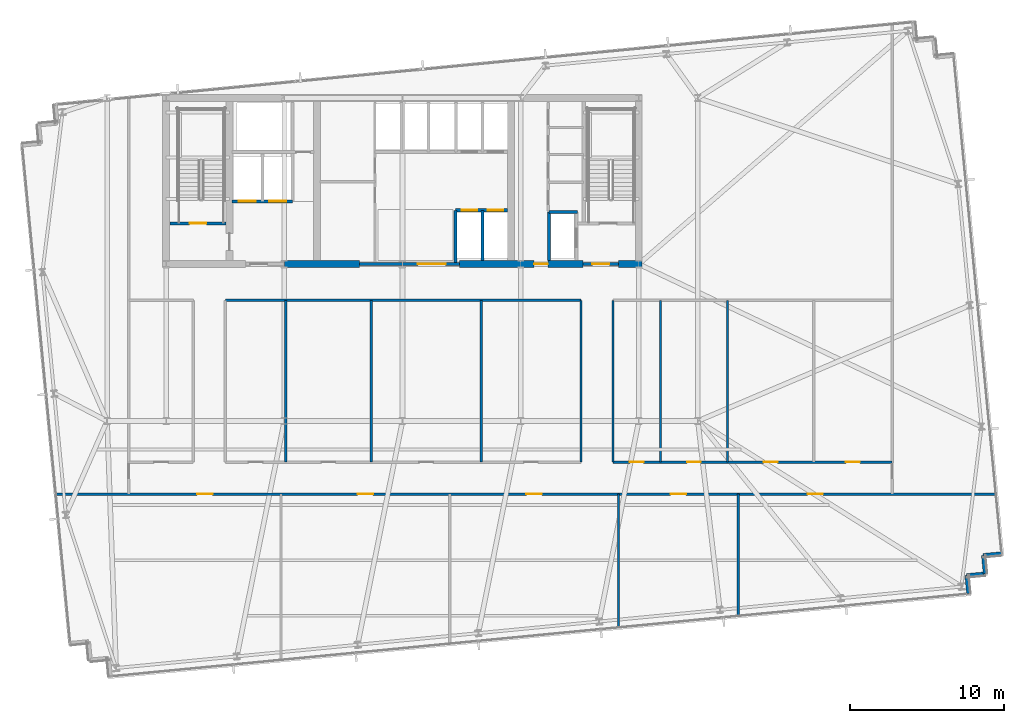
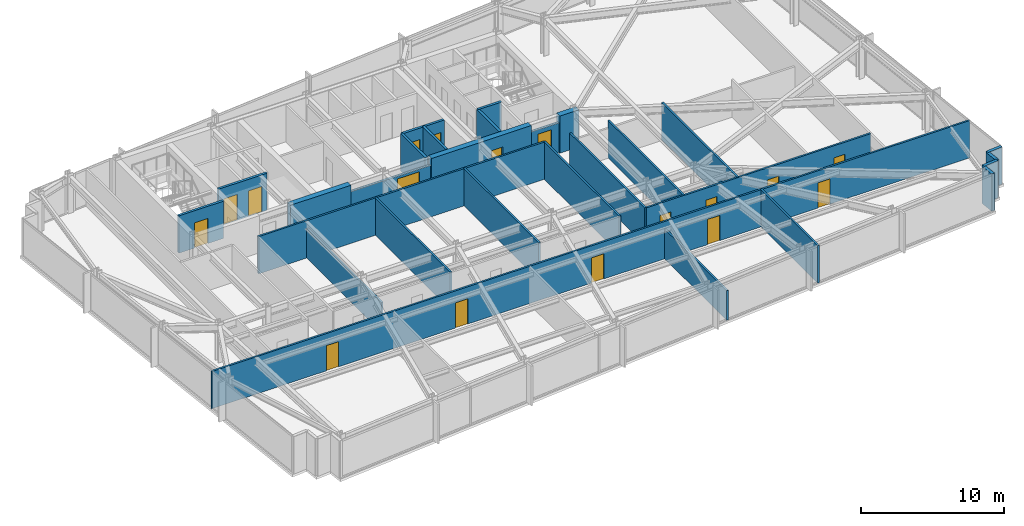
# One storey, part 25 of 33: 28 walls, 17 doors, 17 openings.
"""IFC4 building model written with IfcOpenShell, lengths in metres."""

from ifc_helpers import new_model, si_unit, direction, frame, frame_2d, origin, place, context, subcontext, project, spatial, rectangle, extrude, material, layer, layer_set, type_object, element, fill, save


model = new_model("IFC4")

# Units and contexts
model_context = context("Model", 3, precision=1e-05, world=origin(), true_north=direction((0.0, 1.0)))
body_context = subcontext(model_context, "Body", "Model", "MODEL_VIEW")
ifc_project = project(units=[si_unit("LENGTHUNIT", "METRE"), si_unit("AREAUNIT", "SQUARE_METRE"), si_unit("VOLUMEUNIT", "CUBIC_METRE"), si_unit("PLANEANGLEUNIT", "RADIAN"), si_unit("MASSUNIT", "GRAM", prefix="KILO")], contexts=[model_context])

# Site, building, storey
site_placement = place(None, origin())
site = spatial("IfcSite", under=ifc_project, at=site_placement, CompositionType="ELEMENT")
building_placement = place(site_placement, origin())
building = spatial("IfcBuilding", under=site, at=building_placement, Name="Yelkora Congress Tower", CompositionType="ELEMENT")
storey_placement = place(building_placement, frame((0.0, 0.0, 123.699951171875)))
storey = spatial("IfcBuildingStorey", under=building, at=storey_placement, Name="L33", CompositionType="ELEMENT", Elevation=123.699951171875)

# Wall
ifc_material_1 = material(Name="Concrete C60/75", Category="concrete")
ifc_layer_1 = layer(ifc_material_1, 0.449951171875)
ifc_layer_set_1 = layer_set([ifc_layer_1], Name="Concrete C60/75")
wall_type_1 = type_object("IfcWallType", Name="WALL-CORE-INT-450", PredefinedType="SHEAR", material=ifc_layer_set_1)
wall_1_placement = place(storey_placement, frame((30.719970703125, 35.39990234375, 0.0), z_axis=(0.0, 0.0, 1.0), x_axis=(1.0, 0.0, 0.0)))
element("IfcWall", 1, at=wall_1_placement, inside=storey, type_object=wall_type_1, Name="L33 Rear Core South-Center Shear Pier", PredefinedType="SHEAR", context=body_context, shape_type="SweptSolid", body=[
    extrude(rectangle(XDim=4.880126953125, YDim=0.449951171875, at=frame_2d((2.43994140625, 0.0))), origin(), (0.0, 0.0, 1.0), 3.179931640625),
])

# Wall, opening, door
wall_2_placement = place(storey_placement, frame((42.10009765625, 35.39990234375, 0.0), z_axis=(0.0, 0.0, 1.0), x_axis=(1.0, 0.0, 0.0)))
wall_2 = element("IfcWall", 2, at=wall_2_placement, inside=storey, type_object=wall_type_1, Name="L33 Rear Core South-East Shear Wall A", PredefinedType="SHEAR", context=body_context, shape_type="SweptSolid", body=[
    extrude(rectangle(XDim=8.0498046875, YDim=0.449951171875, at=frame_2d((4.02490234375, 0.0))), origin(), (0.0, 0.0, 1.0), 3.179931640625),
])
opening_1_placement = place(wall_2_placement, frame((4.85009765625, 0.0, 0.0)))
opening_1 = element("IfcOpeningElement", 3, at=opening_1_placement, cuts=wall_2, Name="Opening DR-090F6", PredefinedType="OPENING", context=body_context, shape_type="SweptSolid", body=[
    extrude(rectangle(XDim=0.89990234375, YDim=2.14990234375, at=frame_2d((0.449951171875, 1.074951171875))), frame((0.0, 0.23486328125, 0.0), z_axis=(0.0, -1.0, 0.0), x_axis=(1.0, 0.0, 0.0)), (0.0, 0.0, 1.0), 0.469970703125),
])
ifc_material_2 = material(Name="Painted steel riser fire door leaf", Category="steel")
door_type_1 = type_object("IfcDoorType", Name="DOOR-FD60-900", OperationType="NOTDEFINED", PredefinedType="DOOR", material=ifc_material_2)
door_1_placement = place(opening_1_placement, origin())
door_1 = element("IfcDoor", 4, at=door_1_placement, inside=storey, type_object=door_type_1, Name="L33 Core Washroom Lobby Door", OperationType="SINGLE_SWING_RIGHT", OverallHeight=2.14990234375, OverallWidth=0.89990234375, PredefinedType="DOOR", context=body_context, shape_type="SweptSolid", body=[
    extrude(rectangle(XDim=0.89990234375, YDim=2.14990234375, at=frame_2d((0.449951171875, 1.074951171875))), frame((0.0, 0.02490234375, 0.0), z_axis=(0.0, -1.0, 0.0), x_axis=(1.0, 0.0, 0.0)), (0.0, 0.0, 1.0), 0.050048828125),
])
fill(opening_1, door_1)

# Walls
wall_3_placement = place(storey_placement, frame((52.449951171875, 35.39990234375, 0.0), z_axis=(0.0, 0.0, 1.0), x_axis=(1.0, 0.0, 0.0)))
element("IfcWall", 5, at=wall_3_placement, inside=storey, type_object=wall_type_1, Name="L33 Rear Core South-East Shear Wall B", PredefinedType="SHEAR", context=body_context, shape_type="SweptSolid", body=[
    extrude(rectangle(XDim=1.53515625, YDim=0.449951171875, at=frame_2d((0.767578125, 0.0))), origin(), (0.0, 0.0, 1.0), 3.179931640625),
])
ifc_material_3 = material(Name="Concrete C40/50", Category="concrete")
ifc_layer_2 = layer(ifc_material_3, 0.239990234375)
ifc_layer_set_2 = layer_set([ifc_layer_2], Name="Concrete C40/50")
wall_type_2 = type_object("IfcWallType", Name="WALL-EXT-LIMESTONE-240", PredefinedType="SOLIDWALL", material=ifc_layer_set_2)
wall_4_placement = place(storey_placement, frame((77.34765625, 16.585693359375, 0.0), z_axis=(0.0, 0.0, 1.0), x_axis=(-0.995397091755, -0.095836473879, 0.0)))
element("IfcWall", 6, at=wall_4_placement, inside=storey, type_object=wall_type_2, Name="L33 Serrated Corner Limestone Pier 16", PredefinedType="SOLIDWALL", context=body_context, shape_type="SweptSolid", body=[
    extrude(rectangle(XDim=1.199951171875, YDim=0.239990234375, at=frame_2d((0.60009765625, 0.0))), origin(), (0.0, 0.0, 1.0), 3.179931640625),
])
for number, where, z_axis, x_axis, name in (
    (7, (76.1533203125, 16.470703125, 0.0), (0.0, 0.0, 1.0), (0.095817067274, -0.995398960025, 0.0), "L33 Serrated Corner Limestone Pier 17"),
    (8, (76.268310546875, 15.276123046875, 0.0), (0.0, 0.0, 1.0), (-0.995398960025, -0.095817067274, 0.0), "L33 Serrated Corner Limestone Pier 18"),
):
    element("IfcWall", number, at=place(storey_placement, frame(where, z_axis=z_axis, x_axis=x_axis)), inside=storey, type_object=wall_type_2, Name=name, PredefinedType="SOLIDWALL", context=body_context, shape_type="SweptSolid", body=[
        extrude(rectangle(XDim=1.2001953125, YDim=0.239990234375, at=frame_2d((0.60009765625, 0.0))), origin(), (0.0, 0.0, 1.0), 3.179931640625),
    ])
wall_5_placement = place(storey_placement, frame((75.07373046875, 15.1611328125, 0.0), z_axis=(0.0, 0.0, 1.0), x_axis=(0.095836473879, -0.995397091755, 0.0)))
element("IfcWall", 9, at=wall_5_placement, inside=storey, type_object=wall_type_2, Name="L33 Serrated Corner Limestone Pier 19", PredefinedType="SOLIDWALL", context=body_context, shape_type="SweptSolid", body=[
    extrude(rectangle(XDim=1.199951171875, YDim=0.239990234375, at=frame_2d((0.60009765625, 0.0))), origin(), (0.0, 0.0, 1.0), 3.179931640625),
])
ifc_material_4 = material(Name="Acoustic metal-stud gypsum partition", Category="gypsum")
ifc_layer_3 = layer(ifc_material_4, 0.14990234375)
ifc_layer_set_3 = layer_set([ifc_layer_3], Name="Acoustic metal-stud gypsum partition")
wall_type_3 = type_object("IfcWallType", Name="WALL-INT-150-NR", PredefinedType="PARTITIONING", material=ifc_layer_set_3)
wall_6_placement = place(storey_placement, frame((52.447998046875, 11.716796875, 0.0), z_axis=(0.0, 0.0, 1.0), x_axis=(0.0, 1.0, 0.0)))
element("IfcWall", 10, at=wall_6_placement, inside=storey, type_object=wall_type_3, Name="L33 Partition Wall 30", PredefinedType="PARTITIONING", context=body_context, shape_type="SweptSolid", body=[
    extrude(rectangle(XDim=8.753173828125, YDim=0.14990234375, at=frame_2d((4.37646484375, 0.0))), origin(), (0.0, 0.0, 1.0), 2.525146484375),
])
wall_7_placement = place(storey_placement, frame((60.220947265625, 12.465087890625, 0.0), z_axis=(0.0, 0.0, 1.0), x_axis=(0.0, 1.0, 0.0)))
element("IfcWall", 11, at=wall_7_placement, inside=storey, type_object=wall_type_3, Name="L33 Partition Wall 31", PredefinedType="PARTITIONING", context=body_context, shape_type="SweptSolid", body=[
    extrude(rectangle(XDim=8.0048828125, YDim=0.14990234375, at=frame_2d((4.00244140625, 0.0))), origin(), (0.0, 0.0, 1.0), 3.179931640625),
])

# Wall, openings, doors
wall_8_placement = place(storey_placement, frame((15.814208984375, 20.449951171875, 0.0), z_axis=(0.0, 0.0, 1.0), x_axis=(1.0, 0.0, 0.0)))
wall_8 = element("IfcWall", 12, at=wall_8_placement, inside=storey, type_object=wall_type_3, Name="L33 South Spine Wall", PredefinedType="PARTITIONING", context=body_context, shape_type="SweptSolid", body=[
    extrude(rectangle(XDim=61.2216796875, YDim=0.14990234375, at=frame_2d((30.61083984375, 0.0))), origin(), (0.0, 0.0, 1.0), 3.179931640625),
])
opening_2_placement = place(wall_8_placement, frame((9.243408203125, 0.0, 0.0)))
opening_2 = element("IfcOpeningElement", 13, at=opening_2_placement, cuts=wall_8, Name="Opening DR-100N", PredefinedType="OPENING", context=body_context, shape_type="SweptSolid", body=[
    extrude(rectangle(XDim=1.0, YDim=2.14990234375, at=frame_2d((0.5, 1.074951171875))), frame((0.0, 0.0849609375, 0.0), z_axis=(0.0, -1.0, 0.0), x_axis=(1.0, 0.0, 0.0)), (0.0, 0.0, 1.0), 0.169921875),
])
opening_3_placement = place(wall_8_placement, frame((19.673828125, 0.0, 0.0)))
opening_3 = element("IfcOpeningElement", 14, at=opening_3_placement, cuts=wall_8, Name="Opening DR-100N", PredefinedType="OPENING", context=body_context, shape_type="SweptSolid", body=[
    extrude(rectangle(XDim=1.0, YDim=2.14990234375, at=frame_2d((0.5, 1.074951171875))), frame((0.0, 0.0849609375, 0.0), z_axis=(0.0, -1.0, 0.0), x_axis=(1.0, 0.0, 0.0)), (0.0, 0.0, 1.0), 0.169921875),
])
opening_4_placement = place(wall_8_placement, frame((30.6474609375, 0.0, 0.0)))
opening_4 = element("IfcOpeningElement", 15, at=opening_4_placement, cuts=wall_8, Name="Opening DR-100N", PredefinedType="OPENING", context=body_context, shape_type="SweptSolid", body=[
    extrude(rectangle(XDim=1.0, YDim=2.14990234375, at=frame_2d((0.5, 1.074951171875))), frame((0.0, 0.0849609375, 0.0), z_axis=(0.0, -1.0, 0.0), x_axis=(1.0, 0.0, 0.0)), (0.0, 0.0, 1.0), 0.169921875),
])
opening_5_placement = place(wall_8_placement, frame((40.0205078125, 0.0, 0.0)))
opening_5 = element("IfcOpeningElement", 16, at=opening_5_placement, cuts=wall_8, Name="Opening DR-100N", PredefinedType="OPENING", context=body_context, shape_type="SweptSolid", body=[
    extrude(rectangle(XDim=1.0, YDim=2.14990234375, at=frame_2d((0.5, 1.074951171875))), frame((0.0, 0.0849609375, 0.0), z_axis=(0.0, -1.0, 0.0), x_axis=(1.0, 0.0, 0.0)), (0.0, 0.0, 1.0), 0.169921875),
])
opening_6_placement = place(wall_8_placement, frame((48.914306640625, 0.0, 0.0)))
opening_6 = element("IfcOpeningElement", 17, at=opening_6_placement, cuts=wall_8, Name="Opening DR-100N", PredefinedType="OPENING", context=body_context, shape_type="SweptSolid", body=[
    extrude(rectangle(XDim=1.0, YDim=2.14990234375, at=frame_2d((0.5, 1.074951171875))), frame((0.0, 0.0849609375, 0.0), z_axis=(0.0, -1.0, 0.0), x_axis=(1.0, 0.0, 0.0)), (0.0, 0.0, 1.0), 0.169921875),
])
ifc_material_5 = material(Name="Solid-core Anatolian oak veneer door", Category="wood")
door_type_2 = type_object("IfcDoorType", Name="DOOR-INT-1000", OperationType="NOTDEFINED", PredefinedType="DOOR", material=ifc_material_5)
door_2_placement = place(opening_2_placement, origin())
door_2 = element("IfcDoor", 18, at=door_2_placement, inside=storey, type_object=door_type_2, Name="L33 Translation Studio Door", OperationType="SINGLE_SWING_RIGHT", OverallHeight=2.14990234375, OverallWidth=1.0, PredefinedType="DOOR", context=body_context, shape_type="SweptSolid", body=[
    extrude(rectangle(XDim=1.0, YDim=2.14990234375, at=frame_2d((0.5, 1.074951171875))), frame((0.0, 0.02490234375, 0.0), z_axis=(0.0, -1.0, 0.0), x_axis=(1.0, 0.0, 0.0)), (0.0, 0.0, 1.0), 0.050048828125),
])
fill(opening_2, door_2)
door_3_placement = place(opening_3_placement, origin())
door_3 = element("IfcDoor", 19, at=door_3_placement, inside=storey, type_object=door_type_2, Name="L33 Store Supply Door", OperationType="SINGLE_SWING_LEFT", OverallHeight=2.14990234375, OverallWidth=1.0, PredefinedType="DOOR", context=body_context, shape_type="SweptSolid", body=[
    extrude(rectangle(XDim=1.0, YDim=2.14990234375, at=frame_2d((0.5, 1.074951171875))), frame((0.0, 0.02490234375, 0.0), z_axis=(0.0, -1.0, 0.0), x_axis=(1.0, 0.0, 0.0)), (0.0, 0.0, 1.0), 0.050048828125),
])
fill(opening_3, door_3)
door_4_placement = place(opening_4_placement, origin())
door_4 = element("IfcDoor", 20, at=door_4_placement, inside=storey, type_object=door_type_2, Name="L33 Delegate Office Suite Door", OperationType="SINGLE_SWING_RIGHT", OverallHeight=2.14990234375, OverallWidth=1.0, PredefinedType="DOOR", context=body_context, shape_type="SweptSolid", body=[
    extrude(rectangle(XDim=1.0, YDim=2.14990234375, at=frame_2d((0.5, 1.074951171875))), frame((0.0, 0.02490234375, 0.0), z_axis=(0.0, -1.0, 0.0), x_axis=(1.0, 0.0, 0.0)), (0.0, 0.0, 1.0), 0.050048828125),
])
fill(opening_4, door_4)
door_5_placement = place(opening_5_placement, origin())
door_5 = element("IfcDoor", 21, at=door_5_placement, inside=storey, type_object=door_type_2, Name="L33 Committee Meeting Room Door", OperationType="SINGLE_SWING_LEFT", OverallHeight=2.14990234375, OverallWidth=1.0, PredefinedType="DOOR", context=body_context, shape_type="SweptSolid", body=[
    extrude(rectangle(XDim=1.0, YDim=2.14990234375, at=frame_2d((0.5, 1.074951171875))), frame((0.0, 0.02490234375, 0.0), z_axis=(0.0, -1.0, 0.0), x_axis=(1.0, 0.0, 0.0)), (0.0, 0.0, 1.0), 0.050048828125),
])
fill(opening_5, door_5)
door_6_placement = place(opening_6_placement, origin())
door_6 = element("IfcDoor", 22, at=door_6_placement, inside=storey, type_object=door_type_2, Name="L33 Committee Meeting Room Door", OperationType="SINGLE_SWING_RIGHT", OverallHeight=2.14990234375, OverallWidth=1.0, PredefinedType="DOOR", context=body_context, shape_type="SweptSolid", body=[
    extrude(rectangle(XDim=1.0, YDim=2.14990234375, at=frame_2d((0.5, 1.074951171875))), frame((0.0, 0.02490234375, 0.0), z_axis=(0.0, -1.0, 0.0), x_axis=(1.0, 0.0, 0.0)), (0.0, 0.0, 1.0), 0.050048828125),
])
fill(opening_6, door_6)

# Walls
for number, where, z_axis, x_axis, name in (
    (23, (50.0, 22.530029296875, 0.0), (0.0, 0.0, 1.0), (0.0, 1.0, 0.0), "L33 Partition Wall 37"),
    (24, (52.080078125, 22.530029296875, 0.0), (0.0, 0.0, 1.0), (0.0, 1.0, 0.0), "L33 Partition Wall 38"),
):
    element("IfcWall", number, at=place(storey_placement, frame(where, z_axis=z_axis, x_axis=x_axis)), inside=storey, type_object=wall_type_3, Name=name, PredefinedType="PARTITIONING", context=body_context, shape_type="SweptSolid", body=[
        extrude(rectangle(XDim=10.52001953125, YDim=0.14990234375, at=frame_2d((5.260009765625, 0.0))), origin(), (0.0, 0.0, 1.0), 3.179931640625),
    ])
wall_9_placement = place(storey_placement, frame((26.8798828125, 33.050048828125, 0.0), z_axis=(0.0, 0.0, 1.0), x_axis=(1.0, 0.0, 0.0)))
element("IfcWall", 25, at=wall_9_placement, inside=storey, type_object=wall_type_3, Name="L33 Partition Wall 40", PredefinedType="PARTITIONING", context=body_context, shape_type="SweptSolid", body=[
    extrude(rectangle(XDim=23.1201171875, YDim=0.14990234375, at=frame_2d((11.56005859375, 0.0))), origin(), (0.0, 0.0, 1.0), 3.179931640625),
])
wall_10_placement = place(storey_placement, frame((30.81689453125, 22.530029296875, 0.0), z_axis=(0.0, 0.0, 1.0), x_axis=(0.0, 1.0, 0.0)))
element("IfcWall", 26, at=wall_10_placement, inside=storey, type_object=wall_type_3, Name="L33 Partition Wall 43", PredefinedType="PARTITIONING", context=body_context, shape_type="SweptSolid", body=[
    extrude(rectangle(XDim=10.52001953125, YDim=0.14990234375, at=frame_2d((5.260009765625, 0.0))), origin(), (0.0, 0.0, 1.0), 2.525146484375),
])
for number, where, z_axis, x_axis, name in (
    (27, (36.361083984375, 22.530029296875, 0.0), (0.0, 0.0, 1.0), (0.0, 1.0, 0.0), "L33 Partition Wall 44"),
    (28, (43.52197265625, 22.530029296875, 0.0), (0.0, 0.0, 1.0), (0.0, 1.0, 0.0), "L33 Partition Wall 45"),
    (29, (55.1708984375, 22.530029296875, 0.0), (0.0, 0.0, 1.0), (0.0, 1.0, 0.0), "L33 Partition Wall 47"),
    (30, (59.52197265625, 22.530029296875, 0.0), (0.0, 0.0, 1.0), (0.0, 1.0, 0.0), "L33 Partition Wall 48"),
):
    element("IfcWall", number, at=place(storey_placement, frame(where, z_axis=z_axis, x_axis=x_axis)), inside=storey, type_object=wall_type_3, Name=name, PredefinedType="PARTITIONING", context=body_context, shape_type="SweptSolid", body=[
        extrude(rectangle(XDim=10.52001953125, YDim=0.14990234375, at=frame_2d((5.260009765625, 0.0))), origin(), (0.0, 0.0, 1.0), 3.179931640625),
    ])

# Wall, openings, doors
wall_11_placement = place(storey_placement, frame((52.090087890625, 22.530029296875, 0.0), z_axis=(0.0, 0.0, 1.0), x_axis=(1.0, 0.0, 0.0)))
wall_11 = element("IfcWall", 31, at=wall_11_placement, inside=storey, type_object=wall_type_3, Name="L33 Partition Wall 50", PredefinedType="PARTITIONING", context=body_context, shape_type="SweptSolid", body=[
    extrude(rectangle(XDim=18.1259765625, YDim=0.14990234375, at=frame_2d((9.06298828125, 0.0))), origin(), (0.0, 0.0, 1.0), 3.179931640625),
])
opening_7_placement = place(wall_11_placement, frame((1.090576171875, 0.0, 0.0)))
opening_7 = element("IfcOpeningElement", 32, at=opening_7_placement, cuts=wall_11, Name="Opening DR-090N", PredefinedType="OPENING", context=body_context, shape_type="SweptSolid", body=[
    extrude(rectangle(XDim=0.89990234375, YDim=2.14990234375, at=frame_2d((0.449951171875, 1.074951171875))), frame((0.0, 0.0849609375, 0.0), z_axis=(0.0, -1.0, 0.0), x_axis=(1.0, 0.0, 0.0)), (0.0, 0.0, 1.0), 0.169921875),
])
opening_8_placement = place(wall_11_placement, frame((4.806396484375, 0.0, 0.0)))
opening_8 = element("IfcOpeningElement", 33, at=opening_8_placement, cuts=wall_11, Name="Opening DR-090N", PredefinedType="OPENING", context=body_context, shape_type="SweptSolid", body=[
    extrude(rectangle(XDim=0.89990234375, YDim=2.14990234375, at=frame_2d((0.449951171875, 1.074951171875))), frame((0.0, 0.0849609375, 0.0), z_axis=(0.0, -1.0, 0.0), x_axis=(1.0, 0.0, 0.0)), (0.0, 0.0, 1.0), 0.169921875),
])
opening_9_placement = place(wall_11_placement, frame((9.79150390625, 0.0, 0.0)))
opening_9 = element("IfcOpeningElement", 34, at=opening_9_placement, cuts=wall_11, Name="Opening DR-090N", PredefinedType="OPENING", context=body_context, shape_type="SweptSolid", body=[
    extrude(rectangle(XDim=0.89990234375, YDim=2.14990234375, at=frame_2d((0.449951171875, 1.074951171875))), frame((0.0, 0.0849609375, 0.0), z_axis=(0.0, -1.0, 0.0), x_axis=(1.0, 0.0, 0.0)), (0.0, 0.0, 1.0), 0.169921875),
])
opening_10_placement = place(wall_11_placement, frame((15.138427734375, 0.0, 0.0)))
opening_10 = element("IfcOpeningElement", 35, at=opening_10_placement, cuts=wall_11, Name="Opening DR-090N", PredefinedType="OPENING", context=body_context, shape_type="SweptSolid", body=[
    extrude(rectangle(XDim=0.89990234375, YDim=2.14990234375, at=frame_2d((0.449951171875, 1.074951171875))), frame((0.0, 0.0849609375, 0.0), z_axis=(0.0, -1.0, 0.0), x_axis=(1.0, 0.0, 0.0)), (0.0, 0.0, 1.0), 0.169921875),
])
ifc_material_6 = material(Name="Moisture-resistant laminate door leaf", Category="wood")
door_type_3 = type_object("IfcDoorType", Name="DOOR-INT-900", OperationType="NOTDEFINED", PredefinedType="DOOR", material=ifc_material_6)
door_7_placement = place(opening_7_placement, origin())
door_7 = element("IfcDoor", 36, at=door_7_placement, inside=storey, type_object=door_type_3, Name="L33 Delegate Reading Lounge Door", OperationType="SINGLE_SWING_RIGHT", OverallHeight=2.14990234375, OverallWidth=0.89990234375, PredefinedType="DOOR", context=body_context, shape_type="SweptSolid", body=[
    extrude(rectangle(XDim=0.89990234375, YDim=2.14990234375, at=frame_2d((0.449951171875, 1.074951171875))), frame((0.0, 0.02490234375, 0.0), z_axis=(0.0, -1.0, 0.0), x_axis=(1.0, 0.0, 0.0)), (0.0, 0.0, 1.0), 0.050048828125),
])
fill(opening_7, door_7)
door_8_placement = place(opening_8_placement, origin())
door_8 = element("IfcDoor", 37, at=door_8_placement, inside=storey, type_object=door_type_3, Name="L33 Seminar Briefing Room Door", OperationType="SINGLE_SWING_LEFT", OverallHeight=2.14990234375, OverallWidth=0.89990234375, PredefinedType="DOOR", context=body_context, shape_type="SweptSolid", body=[
    extrude(rectangle(XDim=0.89990234375, YDim=2.14990234375, at=frame_2d((0.449951171875, 1.074951171875))), frame((0.0, 0.02490234375, 0.0), z_axis=(0.0, -1.0, 0.0), x_axis=(1.0, 0.0, 0.0)), (0.0, 0.0, 1.0), 0.050048828125),
])
fill(opening_8, door_8)
door_9_placement = place(opening_9_placement, origin())
door_9 = element("IfcDoor", 38, at=door_9_placement, inside=storey, type_object=door_type_3, Name="L33 Executive Study Office Door", OperationType="SINGLE_SWING_RIGHT", OverallHeight=2.14990234375, OverallWidth=0.89990234375, PredefinedType="DOOR", context=body_context, shape_type="SweptSolid", body=[
    extrude(rectangle(XDim=0.89990234375, YDim=2.14990234375, at=frame_2d((0.449951171875, 1.074951171875))), frame((0.0, 0.02490234375, 0.0), z_axis=(0.0, -1.0, 0.0), x_axis=(1.0, 0.0, 0.0)), (0.0, 0.0, 1.0), 0.050048828125),
])
fill(opening_9, door_9)
door_10_placement = place(opening_10_placement, origin())
door_10 = element("IfcDoor", 39, at=door_10_placement, inside=storey, type_object=door_type_3, Name="L33 Delegate Reading Lounge Door", OperationType="SINGLE_SWING_LEFT", OverallHeight=2.14990234375, OverallWidth=0.89990234375, PredefinedType="DOOR", context=body_context, shape_type="SweptSolid", body=[
    extrude(rectangle(XDim=0.89990234375, YDim=2.14990234375, at=frame_2d((0.449951171875, 1.074951171875))), frame((0.0, 0.02490234375, 0.0), z_axis=(0.0, -1.0, 0.0), x_axis=(1.0, 0.0, 0.0)), (0.0, 0.0, 1.0), 0.050048828125),
])
fill(opening_10, door_10)

# Wall, opening, door
ifc_material_7 = material(Name="Autoclaved aerated concrete blockwork", Category="masonry")
ifc_layer_4 = layer(ifc_material_7, 0.199951171875)
ifc_layer_set_4 = layer_set([ifc_layer_4], Name="Autoclaved aerated concrete blockwork")
wall_type_4 = type_object("IfcWallType", Name="WALL-INT-200-R120", PredefinedType="PARTITIONING", material=ifc_layer_set_4)
wall_12_placement = place(storey_placement, frame((23.300048828125, 38.050048828125, 0.0), z_axis=(0.0, 0.0, 1.0), x_axis=(1.0, 0.0, 0.0)))
wall_12 = element("IfcWall", 40, at=wall_12_placement, inside=storey, type_object=wall_type_4, Name="L33 Stair ST-01 Enclosure Wall", PredefinedType="PARTITIONING", context=body_context, shape_type="SweptSolid", body=[
    extrude(rectangle(XDim=3.619873046875, YDim=0.199951171875, at=frame_2d((1.81005859375, 0.0))), origin(), (0.0, 0.0, 1.0), 3.179931640625),
])
opening_11_placement = place(wall_12_placement, frame((1.260009765625, 0.0, 0.0)))
opening_11 = element("IfcOpeningElement", 41, at=opening_11_placement, cuts=wall_12, Name="Opening DR-110F9", PredefinedType="OPENING", context=body_context, shape_type="SweptSolid", body=[
    extrude(rectangle(XDim=1.10009765625, YDim=2.14990234375, at=frame_2d((0.550048828125, 1.074951171875))), frame((0.0, 0.10986328125, 0.0), z_axis=(0.0, -1.0, 0.0), x_axis=(1.0, 0.0, 0.0)), (0.0, 0.0, 1.0), 0.219970703125),
])
ifc_material_8 = material(Name="Galvanised steel fire door leaf", Category="steel")
door_type_4 = type_object("IfcDoorType", Name="DOOR-FD90-1100", OperationType="NOTDEFINED", PredefinedType="DOOR", material=ifc_material_8)
door_11_placement = place(opening_11_placement, origin())
door_11 = element("IfcDoor", 42, at=door_11_placement, inside=storey, type_object=door_type_4, Name="L33 Stair ST-01 Entry Door", OperationType="SINGLE_SWING_LEFT", OverallHeight=2.14990234375, OverallWidth=1.10009765625, PredefinedType="DOOR", context=body_context, shape_type="SweptSolid", body=[
    extrude(rectangle(XDim=1.10009765625, YDim=2.14990234375, at=frame_2d((0.550048828125, 1.074951171875))), frame((0.0, 0.02490234375, 0.0), z_axis=(0.0, -1.0, 0.0), x_axis=(1.0, 0.0, 0.0)), (0.0, 0.0, 1.0), 0.050048828125),
])
fill(opening_11, door_11)

# Wall, openings, doors
wall_13_placement = place(storey_placement, frame((27.320068359375, 39.47998046875, 0.0), z_axis=(0.0, 0.0, 1.0), x_axis=(1.0, 0.0, 0.0)))
wall_13 = element("IfcWall", 43, at=wall_13_placement, inside=storey, type_object=wall_type_4, Name="L33 Firefighting Lift Front Wall", PredefinedType="PARTITIONING", context=body_context, shape_type="SweptSolid", body=[
    extrude(rectangle(XDim=3.93994140625, YDim=0.199951171875, at=frame_2d((1.969970703125, 0.0))), origin(), (0.0, 0.0, 1.0), 3.179931640625),
])
opening_12_placement = place(wall_13_placement, frame((0.449951171875, 0.0, 0.0)))
opening_12 = element("IfcOpeningElement", 44, at=opening_12_placement, cuts=wall_13, Name="Opening LD-FF11", PredefinedType="OPENING", context=body_context, shape_type="SweptSolid", body=[
    extrude(rectangle(XDim=1.10009765625, YDim=2.199951171875, at=frame_2d((0.550048828125, 1.10009765625))), frame((0.0, 0.10986328125, 0.0), z_axis=(0.0, -1.0, 0.0), x_axis=(1.0, 0.0, 0.0)), (0.0, 0.0, 1.0), 0.219970703125),
])
opening_13_placement = place(wall_13_placement, frame((2.409912109375, 0.0, 0.0)))
opening_13 = element("IfcOpeningElement", 45, at=opening_13_placement, cuts=wall_13, Name="Opening LD-FF11", PredefinedType="OPENING", context=body_context, shape_type="SweptSolid", body=[
    extrude(rectangle(XDim=1.10009765625, YDim=2.199951171875, at=frame_2d((0.550048828125, 1.10009765625))), frame((0.0, 0.10986328125, 0.0), z_axis=(0.0, -1.0, 0.0), x_axis=(1.0, 0.0, 0.0)), (0.0, 0.0, 1.0), 0.219970703125),
])
ifc_material_9 = material(Name="Brushed stainless steel 316L landing door", Category="steel")
door_type_5 = type_object("IfcDoorType", Name="DOOR-LIFT-FF-1100", OperationType="DOUBLE_DOOR_SLIDING", PredefinedType="DOOR", material=ifc_material_9)
door_12_placement = place(opening_12_placement, origin())
door_12 = element("IfcDoor", 46, at=door_12_placement, inside=storey, type_object=door_type_5, Name="Lift Landing Door LF-FF1 L33", OperationType="DOUBLE_DOOR_SLIDING", OverallHeight=2.199951171875, OverallWidth=1.10009765625, PredefinedType="DOOR", context=body_context, shape_type="SweptSolid", body=[
    extrude(rectangle(XDim=1.10009765625, YDim=2.199951171875, at=frame_2d((0.550048828125, 1.10009765625))), frame((0.0, 0.02490234375, 0.0), z_axis=(0.0, -1.0, 0.0), x_axis=(1.0, 0.0, 0.0)), (0.0, 0.0, 1.0), 0.050048828125),
])
fill(opening_12, door_12)
door_13_placement = place(opening_13_placement, origin())
door_13 = element("IfcDoor", 47, at=door_13_placement, inside=storey, type_object=door_type_5, Name="Lift Landing Door LF-FF2 L33", OperationType="DOUBLE_DOOR_SLIDING", OverallHeight=2.199951171875, OverallWidth=1.10009765625, PredefinedType="DOOR", context=body_context, shape_type="SweptSolid", body=[
    extrude(rectangle(XDim=1.10009765625, YDim=2.199951171875, at=frame_2d((0.550048828125, 1.10009765625))), frame((0.0, 0.02490234375, 0.0), z_axis=(0.0, -1.0, 0.0), x_axis=(1.0, 0.0, 0.0)), (0.0, 0.0, 1.0), 0.050048828125),
])
fill(opening_13, door_13)

# Wall, opening, door
wall_14_placement = place(storey_placement, frame((35.60009765625, 35.39990234375, 0.0), z_axis=(0.0, 0.0, 1.0), x_axis=(1.0, 0.0, 0.0)))
wall_14 = element("IfcWall", 48, at=wall_14_placement, inside=storey, type_object=wall_type_4, Name="L33 Main Lift Lobby South Portal Wall", PredefinedType="PARTITIONING", context=body_context, shape_type="SweptSolid", body=[
    extrude(rectangle(XDim=6.5, YDim=0.199951171875, at=frame_2d((3.25, 0.0))), origin(), (0.0, 0.0, 1.0), 2.525146484375),
])
opening_14_placement = place(wall_14_placement, frame((3.800048828125, 0.0, 0.0)))
opening_14 = element("IfcOpeningElement", 49, at=opening_14_placement, cuts=wall_14, Name="Opening DR-180D", PredefinedType="OPENING", context=body_context, shape_type="SweptSolid", body=[
    extrude(rectangle(XDim=1.800048828125, YDim=2.300048828125, at=frame_2d((0.89990234375, 1.14990234375))), frame((0.0, 0.10986328125, 0.0), z_axis=(0.0, -1.0, 0.0), x_axis=(1.0, 0.0, 0.0)), (0.0, 0.0, 1.0), 0.219970703125),
])
ifc_material_10 = material(Name="Acoustic double congress hall doors", Category="wood")
door_type_6 = type_object("IfcDoorType", Name="DOOR-DBL-1800", OperationType="DOUBLE_DOOR_SINGLE_SWING", PredefinedType="DOOR", material=ifc_material_10)
door_14_placement = place(opening_14_placement, origin())
door_14 = element("IfcDoor", 50, at=door_14_placement, inside=storey, type_object=door_type_6, Name="L33 Main Lift Lobby Portal Door", OperationType="DOUBLE_DOOR_SINGLE_SWING", OverallHeight=2.300048828125, OverallWidth=1.800048828125, PredefinedType="DOOR", context=body_context, shape_type="SweptSolid", body=[
    extrude(rectangle(XDim=1.800048828125, YDim=2.300048828125, at=frame_2d((0.89990234375, 1.14990234375))), frame((0.0, 0.02490234375, 0.0), z_axis=(0.0, -1.0, 0.0), x_axis=(1.0, 0.0, 0.0)), (0.0, 0.0, 1.0), 0.050048828125),
])
fill(opening_14, door_14)

# Wall, openings, doors
wall_15_placement = place(storey_placement, frame((41.85009765625, 38.89990234375, 0.0), z_axis=(0.0, 0.0, 1.0), x_axis=(1.0, 0.0, 0.0)))
wall_15 = element("IfcWall", 51, at=wall_15_placement, inside=storey, type_object=wall_type_4, Name="L33 Partition Wall 13", PredefinedType="PARTITIONING", context=body_context, shape_type="SweptSolid", body=[
    extrude(rectangle(XDim=3.369873046875, YDim=0.199951171875, at=frame_2d((1.68505859375, 0.0))), origin(), (0.0, 0.0, 1.0), 3.179931640625),
])
opening_15_placement = place(wall_15_placement, frame((0.39990234375, 0.0, 0.0)))
opening_15 = element("IfcOpeningElement", 52, at=opening_15_placement, cuts=wall_15, Name="Opening LD-PS10", PredefinedType="OPENING", context=body_context, shape_type="SweptSolid", body=[
    extrude(rectangle(XDim=1.0, YDim=2.199951171875, at=frame_2d((0.5, 1.10009765625))), frame((0.0, 0.10986328125, 0.0), z_axis=(0.0, -1.0, 0.0), x_axis=(1.0, 0.0, 0.0)), (0.0, 0.0, 1.0), 0.219970703125),
])
opening_16_placement = place(wall_15_placement, frame((2.10009765625, 0.0, 0.0)))
opening_16 = element("IfcOpeningElement", 53, at=opening_16_placement, cuts=wall_15, Name="Opening LD-PS10", PredefinedType="OPENING", context=body_context, shape_type="SweptSolid", body=[
    extrude(rectangle(XDim=1.0, YDim=2.199951171875, at=frame_2d((0.5, 1.10009765625))), frame((0.0, 0.10986328125, 0.0), z_axis=(0.0, -1.0, 0.0), x_axis=(1.0, 0.0, 0.0)), (0.0, 0.0, 1.0), 0.219970703125),
])
ifc_material_11 = material(Name="Champagne stainless steel landing door", Category="steel")
door_type_7 = type_object("IfcDoorType", Name="DOOR-LIFT-PAS-1000", OperationType="DOUBLE_DOOR_SLIDING", PredefinedType="DOOR", material=ifc_material_11)
door_15_placement = place(opening_15_placement, origin())
door_15 = element("IfcDoor", 54, at=door_15_placement, inside=storey, type_object=door_type_7, Name="Lift Landing Door LF-P5 L33", OperationType="DOUBLE_DOOR_SLIDING", OverallHeight=2.199951171875, OverallWidth=1.0, PredefinedType="DOOR", context=body_context, shape_type="SweptSolid", body=[
    extrude(rectangle(XDim=1.0, YDim=2.199951171875, at=frame_2d((0.5, 1.10009765625))), frame((0.0, 0.02490234375, 0.0), z_axis=(0.0, -1.0, 0.0), x_axis=(1.0, 0.0, 0.0)), (0.0, 0.0, 1.0), 0.050048828125),
])
fill(opening_15, door_15)
door_16_placement = place(opening_16_placement, origin())
door_16 = element("IfcDoor", 55, at=door_16_placement, inside=storey, type_object=door_type_7, Name="Lift Landing Door LF-P6 L33", OperationType="DOUBLE_DOOR_SLIDING", OverallHeight=2.199951171875, OverallWidth=1.0, PredefinedType="DOOR", context=body_context, shape_type="SweptSolid", body=[
    extrude(rectangle(XDim=1.0, YDim=2.199951171875, at=frame_2d((0.5, 1.10009765625))), frame((0.0, 0.02490234375, 0.0), z_axis=(0.0, -1.0, 0.0), x_axis=(1.0, 0.0, 0.0)), (0.0, 0.0, 1.0), 0.050048828125),
])
fill(opening_16, door_16)

# Walls
wall_16_placement = place(storey_placement, frame((43.60009765625, 35.64990234375, 0.0), z_axis=(0.0, 0.0, 1.0), x_axis=(0.0, 1.0, 0.0)))
element("IfcWall", 56, at=wall_16_placement, inside=storey, type_object=wall_type_4, Name="L33 Partition Wall 15", PredefinedType="PARTITIONING", context=body_context, shape_type="SweptSolid", body=[
    extrude(rectangle(XDim=3.25, YDim=0.199951171875, at=frame_2d((1.625, 0.0))), origin(), (0.0, 0.0, 1.0), 3.179931640625),
])
wall_17_placement = place(storey_placement, frame((41.85009765625, 35.5, 0.0), z_axis=(0.0, 0.0, 1.0), x_axis=(0.0, 1.0, 0.0)))
element("IfcWall", 57, at=wall_17_placement, inside=storey, type_object=wall_type_4, Name="L33 Partition Wall 17", PredefinedType="PARTITIONING", context=body_context, shape_type="SweptSolid", body=[
    extrude(rectangle(XDim=3.39990234375, YDim=0.199951171875, at=frame_2d((1.699951171875, 0.0))), origin(), (0.0, 0.0, 1.0), 3.179931640625),
])

# Wall, opening, door
wall_18_placement = place(storey_placement, frame((50.14990234375, 35.39990234375, 0.0), z_axis=(0.0, 0.0, 1.0), x_axis=(1.0, 0.0, 0.0)))
wall_18 = element("IfcWall", 58, at=wall_18_placement, inside=storey, type_object=wall_type_4, Name="L33 Partition Wall 20", PredefinedType="PARTITIONING", context=body_context, shape_type="SweptSolid", body=[
    extrude(rectangle(XDim=2.300048828125, YDim=0.199951171875, at=frame_2d((1.14990234375, 0.0))), origin(), (0.0, 0.0, 1.0), 2.525146484375),
])
opening_17_placement = place(wall_18_placement, frame((0.60009765625, 0.0, 0.0)))
opening_17 = element("IfcOpeningElement", 59, at=opening_17_placement, cuts=wall_18, Name="Opening DR-110F9", PredefinedType="OPENING", context=body_context, shape_type="SweptSolid", body=[
    extrude(rectangle(XDim=1.10009765625, YDim=2.14990234375, at=frame_2d((0.550048828125, 1.074951171875))), frame((0.0, 0.10986328125, 0.0), z_axis=(0.0, -1.0, 0.0), x_axis=(1.0, 0.0, 0.0)), (0.0, 0.0, 1.0), 0.219970703125),
])
door_17_placement = place(opening_17_placement, origin())
door_17 = element("IfcDoor", 60, at=door_17_placement, inside=storey, type_object=door_type_4, Name="L33 East Stair Lobby Door", OperationType="SINGLE_SWING_RIGHT", OverallHeight=2.14990234375, OverallWidth=1.10009765625, PredefinedType="DOOR", context=body_context, shape_type="SweptSolid", body=[
    extrude(rectangle(XDim=1.10009765625, YDim=2.14990234375, at=frame_2d((0.550048828125, 1.074951171875))), frame((0.0, 0.02490234375, 0.0), z_axis=(0.0, -1.0, 0.0), x_axis=(1.0, 0.0, 0.0)), (0.0, 0.0, 1.0), 0.050048828125),
])
fill(opening_17, door_17)

# Walls
wall_19_placement = place(storey_placement, frame((47.919921875, 35.64990234375, 0.0), z_axis=(0.0, 0.0, 1.0), x_axis=(0.0, 1.0, 0.0)))
element("IfcWall", 61, at=wall_19_placement, inside=storey, type_object=wall_type_4, Name="L33 Partition Wall 22", PredefinedType="PARTITIONING", context=body_context, shape_type="SweptSolid", body=[
    extrude(rectangle(XDim=3.150146484375, YDim=0.199951171875, at=frame_2d((1.5751953125, 0.0))), origin(), (0.0, 0.0, 1.0), 3.179931640625),
])
wall_20_placement = place(storey_placement, frame((47.919921875, 38.800048828125, 0.0), z_axis=(0.0, 0.0, 1.0), x_axis=(1.0, 0.0, 0.0)))
element("IfcWall", 62, at=wall_20_placement, inside=storey, type_object=wall_type_4, Name="L33 Partition Wall 23", PredefinedType="PARTITIONING", context=body_context, shape_type="SweptSolid", body=[
    extrude(rectangle(XDim=1.860107421875, YDim=0.199951171875, at=frame_2d((0.93017578125, 0.0))), origin(), (0.0, 0.0, 1.0), 3.179931640625),
])

save(model, "model.ifc")
